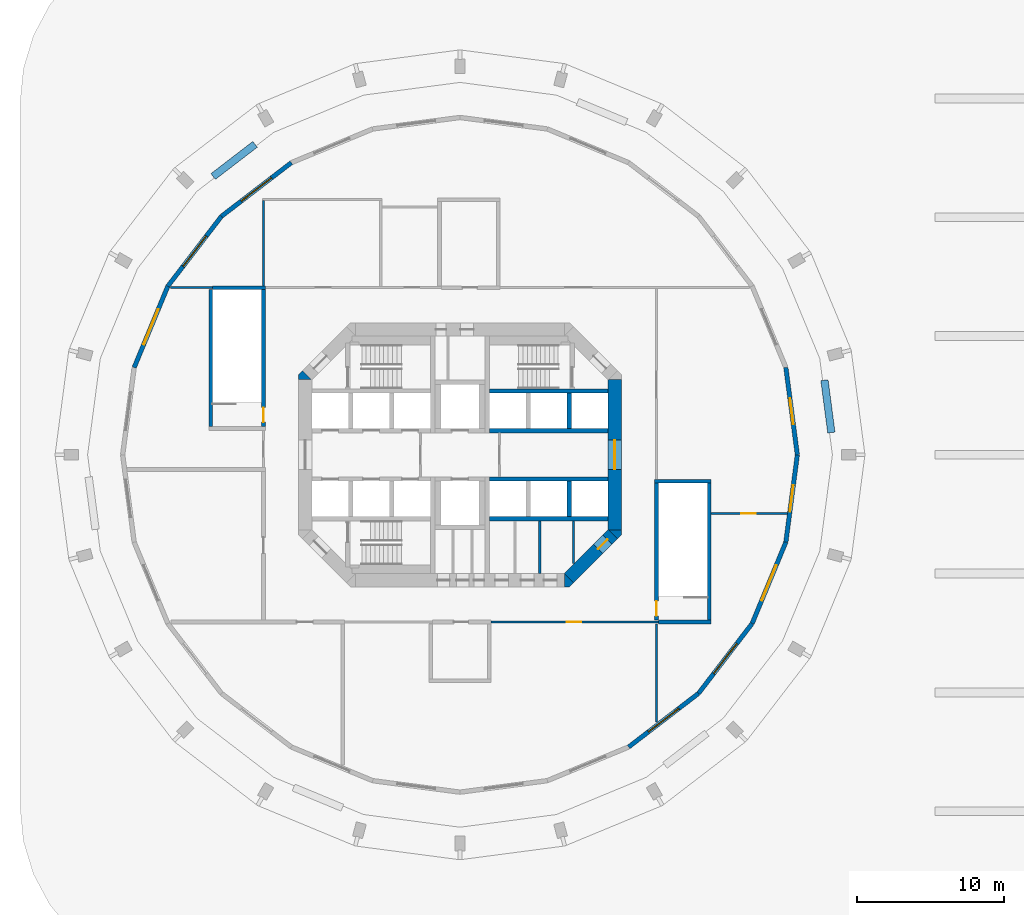
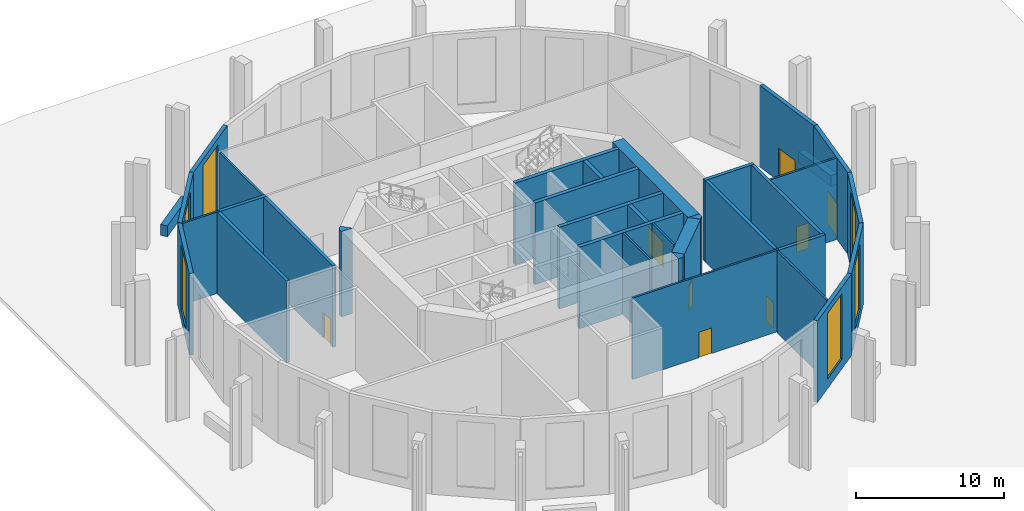
# One storey, part 4 of 7: 35 walls, 8 doors, 6 windows, 14 openings.
"""IFC4 building model written with IfcOpenShell, lengths in metres."""

import ifcopenshell
import ifcopenshell.guid

model = None  # the IFC model being written
_history = None  # IfcOwnerHistory: only IFC2X3 demands one
_inside = {}  # id of a spatial element -> (the spatial element, [elements in it])
_under = {}  # id of a project, library or spatial element -> (it, [spatial elements below it])
_declared = {}  # id of a project -> (the project, [libraries it declares])
_typed = {}  # id of a type object -> (the type object, [elements of that type])
_made_of = {}  # id of a material, layer set ... -> (it, [elements and type objects made of it])


def new_model(schema):
    """Start an empty IFC model of exactly this schema.

    Asked for "IFC4X3", IfcOpenShell would pick the latest addendum, in which some entities
    have other attributes; the version numbers below select the first issue.
    IFC2X3 requires an IfcOwnerHistory on every rooted entity: one is made here for all.
    """
    global model, _history
    if schema == "IFC4X3":
        model = ifcopenshell.file(schema_version=(4, 3, 0, 0))
    else:
        model = ifcopenshell.file(schema=schema)
    _inside.clear()
    _under.clear()
    _declared.clear()
    _typed.clear()
    _made_of.clear()
    _history = None
    if model.schema == "IFC2X3":
        org = make("IfcOrganization", Name="unknown")
        user = make(
            "IfcPersonAndOrganization",
            ThePerson=make("IfcPerson", FamilyName="unknown"),
            TheOrganization=org,
        )
        app = make(
            "IfcApplication",
            ApplicationDeveloper=org,
            Version="unknown",
            ApplicationFullName="unknown",
            ApplicationIdentifier="unknown",
        )
        _history = make(
            "IfcOwnerHistory",
            OwningUser=user,
            OwningApplication=app,
            ChangeAction="ADDED",
            CreationDate=0,
        )
    return model


def make(cls, **values):
    """One entity of the class cls with the attributes given. An attribute that is None is left unset."""
    return model.create_entity(
        cls, **{name: value for name, value in values.items() if value is not None}
    )


def rooted(cls, **values):
    """An entity with a GlobalId (a new one), such as an element, a storey or a relation."""
    return make(cls, GlobalId=ifcopenshell.guid.new(), OwnerHistory=_history, **values)


def si_unit(unit_type, name, prefix=None):
    """IfcSIUnit, for example si_unit("LENGTHUNIT", "METRE", prefix="MILLI")."""
    return make("IfcSIUnit", UnitType=unit_type, Prefix=prefix, Name=name)


def assignment(units):
    """IfcUnitAssignment: the units of a project."""
    return None if units is None else make("IfcUnitAssignment", Units=units)


def point(xyz):
    """IfcCartesianPoint."""
    return None if xyz is None else make("IfcCartesianPoint", Coordinates=xyz)


def direction(xyz):
    """IfcDirection."""
    return None if xyz is None else make("IfcDirection", DirectionRatios=xyz)


def frame(location, z_axis=None, x_axis=None):
    """IfcAxis2Placement3D, a coordinate frame: its origin and axes. An axis left out is left unset."""
    return make(
        "IfcAxis2Placement3D",
        Location=point(location),
        Axis=direction(z_axis),
        RefDirection=direction(x_axis),
    )


def frame_2d(location, x_axis=None):
    """IfcAxis2Placement2D, a coordinate frame in the plane: its origin and x axis."""
    return make(
        "IfcAxis2Placement2D", Location=point(location), RefDirection=direction(x_axis)
    )


def origin():
    """The frame at (0, 0, 0) with its axes left unset."""
    return frame((0.0, 0.0, 0.0))


def place(relative_to, where):
    """IfcLocalPlacement: puts the frame where relative to a parent placement (None: the world)."""
    return make(
        "IfcLocalPlacement", PlacementRelTo=relative_to, RelativePlacement=where
    )


def context(
    kind, dimensions, precision=None, world=None, true_north=None, identifier=None
):
    """IfcGeometricRepresentationContext, for example the 3D "Model" context."""
    return make(
        "IfcGeometricRepresentationContext",
        ContextIdentifier=identifier,
        ContextType=kind,
        CoordinateSpaceDimension=dimensions,
        Precision=precision,
        WorldCoordinateSystem=world,
        TrueNorth=true_north,
    )


def subcontext(parent, identifier, kind, view, scale=None):
    """IfcGeometricRepresentationSubContext, for example "Body" below "Model"."""
    return make(
        "IfcGeometricRepresentationSubContext",
        ContextIdentifier=identifier,
        ContextType=kind,
        ParentContext=parent,
        TargetScale=scale,
        TargetView=view,
    )


def project(units=None, contexts=None):
    """IfcProject with its units and contexts."""
    return rooted(
        "IfcProject",
        Name="project",
        RepresentationContexts=contexts,
        UnitsInContext=assignment(units),
    )


def spatial(cls, under=None, at=None, **own):
    """A site, building, storey or space (cls), placed at a placement, below another one or the project."""
    s = rooted(cls, ObjectPlacement=at, **own)
    if under is not None:
        _under.setdefault(under.id(), (under, []))[1].append(s)
    return s


def polyline(points):
    """IfcPolyline through the points."""
    return make("IfcPolyline", Points=[point(p) for p in points])


def profile(cls, at=None, kind="AREA", **sizes):
    """A parametric profile (cls). Its sizes go by their IFC names, for example OverallWidth=200.0."""
    return make(cls, ProfileType=kind, Position=at, **sizes)


def rectangle(**sizes):
    """IfcRectangleProfileDef."""
    return profile("IfcRectangleProfileDef", **sizes)


def outline(outer, holes=None, kind="AREA"):
    """IfcArbitraryClosedProfileDef: a profile drawn as a closed curve; with holes, ...WithVoids."""
    if holes is None:
        return make("IfcArbitraryClosedProfileDef", ProfileType=kind, OuterCurve=outer)
    return make(
        "IfcArbitraryProfileDefWithVoids",
        ProfileType=kind,
        OuterCurve=outer,
        InnerCurves=holes,
    )


def extrude(swept, where, along, depth):
    """IfcExtrudedAreaSolid: the profile swept, set in the frame where, extruded along a direction by depth."""
    return make(
        "IfcExtrudedAreaSolid",
        SweptArea=swept,
        Position=where,
        ExtrudedDirection=direction(along),
        Depth=depth,
    )


def shape(context_of_items, identifier, shape_type, items):
    """IfcShapeRepresentation: the items that make up one representation, for example the "Body"."""
    return make(
        "IfcShapeRepresentation",
        ContextOfItems=context_of_items,
        RepresentationIdentifier=identifier,
        RepresentationType=shape_type,
        Items=items,
    )


def material(Name=None, Category=None):
    """IfcMaterial."""
    return make("IfcMaterial", Name=Name, Category=Category)


def layer(
    of_material, thickness, ventilated=None, Name=None, Category=None, Priority=None
):
    """IfcMaterialLayer: one layer of a wall or slab, of a material (None: an air gap)."""
    return make(
        "IfcMaterialLayer",
        Material=of_material,
        LayerThickness=thickness,
        IsVentilated=ventilated,
        Name=Name,
        Category=Category,
        Priority=Priority,
    )


def layer_set(layers, Name=None):
    """IfcMaterialLayerSet."""
    return make("IfcMaterialLayerSet", MaterialLayers=layers, LayerSetName=Name)


def made_of(thing, what):
    """Note that an element or type object is made of a material, layer set ...; save() writes the relation."""
    if what is not None:
        _made_of.setdefault(what.id(), (what, []))[1].append(thing)
    return thing


def type_object(cls, material=None, **own):
    """A type object (cls), such as IfcWallType, which elements share."""
    return made_of(rooted(cls, **own), material)


def element(
    cls,
    number,
    at=None,
    inside=None,
    cuts=None,
    type_object=None,
    material=None,
    context=None,
    identifier="Body",
    shape_type=None,
    held_by="IfcProductDefinitionShape",
    body=None,
    shapes=None,
    **own,
):
    """One element of the class cls, such as IfcWall. Its Tag is "e" and its number.

    at: its placement. inside: the storey or other place that contains it. cuts: it is an
    opening in that element (IfcRelVoidsElement). A single representation is given by context,
    identifier, shape_type and body (its items); several are given by shapes. held_by: the class
    of the entity that holds the representations. save() writes the other relations.
    """
    e = rooted(cls, Tag="e%d" % number, ObjectPlacement=at, **own)
    if body is not None:
        shapes = [shape(context, identifier, shape_type, body)]
    if shapes is not None:
        e.Representation = make(held_by, Representations=shapes)
    if inside is not None:
        _inside.setdefault(inside.id(), (inside, []))[1].append(e)
    if cuts is not None:
        rooted(
            "IfcRelVoidsElement", RelatingBuildingElement=cuts, RelatedOpeningElement=e
        )
    if type_object is not None:
        _typed.setdefault(type_object.id(), (type_object, []))[1].append(e)
    return made_of(e, material)


def fill(opening, filler):
    """IfcRelFillsElement: the door or window that sits in an opening."""
    return rooted(
        "IfcRelFillsElement",
        RelatingOpeningElement=opening,
        RelatedBuildingElement=filler,
    )


def aggregate(whole, parts):
    """IfcRelAggregates: a whole, such as a stair, and the parts it consists of."""
    return rooted("IfcRelAggregates", RelatingObject=whole, RelatedObjects=parts)


def save(model, path):
    """Write the relations noted so far, then the file.

    IfcRelAggregates (storeys below a building ...), IfcRelContainedInSpatialStructure (elements
    in a storey), IfcRelDefinesByType, IfcRelAssociatesMaterial and IfcRelDeclares: one each for
    every whole, place, type object, material and project.
    """
    for whole, parts in _under.values():
        aggregate(whole, parts)
    for where, things in _inside.values():
        rooted(
            "IfcRelContainedInSpatialStructure",
            RelatedElements=things,
            RelatingStructure=where,
        )
    for kind, things in _typed.values():
        rooted("IfcRelDefinesByType", RelatedObjects=things, RelatingType=kind)
    for what, things in _made_of.values():
        rooted("IfcRelAssociatesMaterial", RelatedObjects=things, RelatingMaterial=what)
    for by, libraries in _declared.values():
        rooted("IfcRelDeclares", RelatingContext=by, RelatedDefinitions=libraries)
    model.write(path)


model = new_model("IFC4")

# Units and contexts
model_context = context("Model", 3, precision=1e-05, world=origin(), true_north=direction((0.0, 1.0)))
body_context = subcontext(model_context, "Body", "Model", "MODEL_VIEW")
ifc_project = project(units=[si_unit("LENGTHUNIT", "METRE"), si_unit("AREAUNIT", "SQUARE_METRE"), si_unit("VOLUMEUNIT", "CUBIC_METRE"), si_unit("PLANEANGLEUNIT", "RADIAN"), si_unit("MASSUNIT", "GRAM", prefix="KILO")], contexts=[model_context])

# Site, building, storey
site_placement = place(None, origin())
site = spatial("IfcSite", under=ifc_project, at=site_placement, CompositionType="ELEMENT")
building_placement = place(site_placement, origin())
building = spatial("IfcBuilding", under=site, at=building_placement, Name="Torre Triforio", CompositionType="ELEMENT")
storey_placement = place(building_placement, frame((0.0, 0.0, 20.0)))
storey = spatial("IfcBuildingStorey", under=building, at=storey_placement, Name="L03", CompositionType="ELEMENT", Elevation=20.0)

# Wall, opening, door
ifc_material_1 = material(Name="Concrete C60", Category="concrete")
ifc_layer_1 = layer(ifc_material_1, 0.89990234375)
ifc_layer_set_1 = layer_set([ifc_layer_1], Name="Concrete C60")
wall_type_1 = type_object("IfcWallType", Name="Core wall 900 mm C60 EI 120", PredefinedType="SHEAR", material=ifc_layer_set_1)
wall_1_placement = place(storey_placement, frame((10.550048828125, -5.1298828125, -0.320068359375), z_axis=(0.0, 0.0, 1.0), x_axis=(0.0, 1.0, 0.0)))
wall_1 = element("IfcWall", 1, at=wall_1_placement, inside=storey, type_object=wall_type_1, Name="Core wall", PredefinedType="SHEAR", context=body_context, shape_type="SweptSolid", body=[
    extrude(rectangle(XDim=10.259765625, YDim=0.89990234375, at=frame_2d((5.1298828125, 0.0))), origin(), (0.0, 0.0, 1.0), 7.0400390625),
])
opening_1_placement = place(wall_1_placement, frame((4.1298828125, 0.0, 0.320068359375)))
opening_1 = element("IfcOpeningElement", 2, at=opening_1_placement, cuts=wall_1, Name="Opening E-RING", PredefinedType="OPENING", context=body_context, shape_type="SweptSolid", body=[
    extrude(rectangle(XDim=2.0, YDim=2.10009765625, at=frame_2d((1.0, 1.050048828125))), frame((0.0, 0.4599609375, 0.0), z_axis=(0.0, -1.0, 0.0), x_axis=(1.0, 0.0, 0.0)), (0.0, 0.0, 1.0), 0.919921875),
])
ifc_material_2 = material(Name="Hollow metal fire door leaf")
door_type_1 = type_object("IfcDoorType", Name="Lobby door 2000 x 2100 EI 60", OperationType="DOUBLE_DOOR_SINGLE_SWING", PredefinedType="DOOR", material=ifc_material_2)
door_1_placement = place(opening_1_placement, origin())
door_1 = element("IfcDoor", 3, at=door_1_placement, inside=storey, type_object=door_type_1, Name="Core door E-RING", OperationType="DOUBLE_DOOR_SINGLE_SWING", OverallHeight=2.10009765625, OverallWidth=2.0, PredefinedType="DOOR", context=body_context, shape_type="SweptSolid", body=[
    extrude(rectangle(XDim=2.0, YDim=2.10009765625, at=frame_2d((1.0, 1.050048828125))), frame((0.0, 0.02490234375, 0.0), z_axis=(0.0, -1.0, 0.0), x_axis=(1.0, 0.0, 0.0)), (0.0, 0.0, 1.0), 0.050048828125),
])
fill(opening_1, door_1)

wall_2_placement = place(storey_placement, frame((10.418212890625, -5.418212890625, -0.320068359375), z_axis=(0.0, 0.0, 1.0), x_axis=(-0.707106781187, -0.707106781187, 0.0)))
wall_2 = element("IfcWall", 4, at=wall_2_placement, inside=storey, type_object=wall_type_1, Name="Core wall", PredefinedType="SHEAR", context=body_context, shape_type="SweptSolid", body=[
    extrude(rectangle(XDim=4.24267578125, YDim=0.89990234375, at=frame_2d((2.121337890625, 0.0))), origin(), (0.0, 0.0, 1.0), 7.0400390625),
])
opening_2_placement = place(wall_2_placement, frame((0.52001953125, 0.0, 0.320068359375)))
opening_2 = element("IfcOpeningElement", 5, at=opening_2_placement, cuts=wall_2, Name="Opening SE-04", PredefinedType="OPENING", context=body_context, shape_type="SweptSolid", body=[
    extrude(rectangle(XDim=0.89990234375, YDim=2.10009765625, at=frame_2d((0.449951171875, 1.050048828125))), frame((0.0, 0.4599609375, 0.0), z_axis=(0.0, -1.0, 0.0), x_axis=(1.0, 0.0, 0.0)), (0.0, 0.0, 1.0), 0.919921875),
])
door_type_2 = type_object("IfcDoorType", Name="Room door 900 x 2100 EI 60", OperationType="NOTDEFINED", PredefinedType="DOOR", material=ifc_material_2)
door_2_placement = place(opening_2_placement, origin())
door_2 = element("IfcDoor", 6, at=door_2_placement, inside=storey, type_object=door_type_2, Name="Core door SE-04", OperationType="SINGLE_SWING_RIGHT", OverallHeight=2.10009765625, OverallWidth=0.89990234375, PredefinedType="DOOR", context=body_context, shape_type="SweptSolid", body=[
    extrude(rectangle(XDim=0.89990234375, YDim=2.10009765625, at=frame_2d((0.449951171875, 1.050048828125))), frame((0.0, 0.02490234375, 0.0), z_axis=(0.0, -1.0, 0.0), x_axis=(1.0, 0.0, 0.0)), (0.0, 0.0, 1.0), 0.050048828125),
])
fill(opening_2, door_2)

# Walls
wall_3_placement = place(storey_placement, frame((0.0, 0.0, -0.320068359375)))
element("IfcWall", 7, at=wall_3_placement, inside=storey, type_object=wall_type_1, Name="Core wall", PredefinedType="SHEAR", context=body_context, shape_type="SweptSolid", body=[
    extrude(outline(polyline([(7.472900390625, -9.0), (7.1298828125, -9.0), (7.1298828125, -8.1298828125), (7.736328125, -8.736328125), (7.472900390625, -9.0)])), origin(), (0.0, 0.0, 1.0), 7.0400390625),
])
wall_4_placement = place(storey_placement, frame((0.0, 0.0, -0.320068359375)))
element("IfcWall", 8, at=wall_4_placement, inside=storey, type_object=wall_type_1, Name="Core wall", PredefinedType="SHEAR", context=body_context, shape_type="SweptSolid", body=[
    extrude(outline(polyline([(11.0, -5.472900390625), (10.736328125, -5.736328125), (10.1298828125, -5.1298828125), (11.0, -5.1298828125), (11.0, -5.472900390625)])), origin(), (0.0, 0.0, 1.0), 7.0400390625),
])
wall_5_placement = place(storey_placement, frame((0.0, 0.0, -0.320068359375)))
element("IfcWall", 9, at=wall_5_placement, inside=storey, type_object=wall_type_1, Name="Core wall", PredefinedType="SHEAR", context=body_context, shape_type="SweptSolid", body=[
    extrude(outline(polyline([(-10.736328125, 5.736328125), (-10.1298828125, 5.1298828125), (-11.0, 5.1298828125), (-11.0, 5.472900390625), (-10.736328125, 5.736328125)])), origin(), (0.0, 0.0, 1.0), 7.0400390625),
])
ifc_material_3 = material(Name="Plasterboard on metal studs")
ifc_layer_2 = layer(ifc_material_3, 0.14990234375)
ifc_layer_set_2 = layer_set([ifc_layer_2], Name="Plasterboard on metal studs")
wall_type_2 = type_object("IfcWallType", Name="Corridor wall 150 EI 60", PredefinedType="PARTITIONING", material=ifc_layer_set_2)
wall_6_placement = place(storey_placement, frame((-19.74755859375, 11.39990234375, 0.0), z_axis=(0.0, 0.0, 1.0), x_axis=(1.0, 0.0, 0.0)))
element("IfcWall", 10, at=wall_6_placement, inside=storey, type_object=wall_type_2, Name="Corridor wall L03 013", PredefinedType="PARTITIONING", context=body_context, shape_type="SweptSolid", body=[
    extrude(rectangle(XDim=2.87255859375, YDim=0.14990234375, at=frame_2d((1.436279296875, 0.0))), origin(), (0.0, 0.0, 1.0), 6.719970703125),
])

# Wall, opening, door
wall_7_placement = place(storey_placement, frame((2.125, -11.39990234375, 0.0), z_axis=(0.0, 0.0, 1.0), x_axis=(1.0, 0.0, 0.0)))
wall_7 = element("IfcWall", 11, at=wall_7_placement, inside=storey, type_object=wall_type_2, Name="Corridor wall L03 028", PredefinedType="PARTITIONING", context=body_context, shape_type="SweptSolid", body=[
    extrude(rectangle(XDim=11.39990234375, YDim=0.14990234375, at=frame_2d((5.699951171875, 0.0))), origin(), (0.0, 0.0, 1.0), 6.719970703125),
])
opening_3_placement = place(wall_7_placement, frame((5.14990234375, 0.0, 0.0)))
opening_3 = element("IfcOpeningElement", 12, at=opening_3_placement, cuts=wall_7, Name="Opening P3-12", PredefinedType="OPENING", context=body_context, shape_type="SweptSolid", body=[
    extrude(rectangle(XDim=1.0, YDim=2.10009765625, at=frame_2d((0.5, 1.050048828125))), frame((0.0, 0.0849609375, 0.0), z_axis=(0.0, -1.0, 0.0), x_axis=(1.0, 0.0, 0.0)), (0.0, 0.0, 1.0), 0.169921875),
])
ifc_material_4 = material(Name="Timber door leaf", Category="wood")
door_type_3 = type_object("IfcDoorType", Name="Single door 1000 x 2100 EI 30", OperationType="NOTDEFINED", PredefinedType="DOOR", material=ifc_material_4)
door_3_placement = place(opening_3_placement, origin())
door_3 = element("IfcDoor", 13, at=door_3_placement, inside=storey, type_object=door_type_3, Name="Door P3-12", OperationType="SINGLE_SWING_LEFT", OverallHeight=2.10009765625, OverallWidth=1.0, PredefinedType="DOOR", context=body_context, shape_type="SweptSolid", body=[
    extrude(rectangle(XDim=1.0, YDim=2.10009765625, at=frame_2d((0.5, 1.050048828125))), frame((0.0, 0.02490234375, 0.0), z_axis=(0.0, -1.0, 0.0), x_axis=(1.0, 0.0, 0.0)), (0.0, 0.0, 1.0), 0.050048828125),
])
fill(opening_3, door_3)

# Walls
ifc_material_5 = material(Name="Block and board partition")
ifc_layer_3 = layer(ifc_material_5, 0.14990234375)
ifc_layer_set_3 = layer_set([ifc_layer_3], Name="Block and board partition")
wall_type_3 = type_object("IfcWallType", Name="Partition 150 mm", PredefinedType="PARTITIONING", material=ifc_layer_set_3)
wall_8_placement = place(storey_placement, frame((5.43798828125, -8.10009765625, 0.0), z_axis=(0.0, 0.0, 1.0), x_axis=(0.0, 1.0, 0.0)))
element("IfcWall", 14, at=wall_8_placement, inside=storey, type_object=wall_type_3, Name="Partition", PredefinedType="PARTITIONING", context=body_context, shape_type="SweptSolid", body=[
    extrude(rectangle(XDim=3.60009765625, YDim=0.14990234375, at=frame_2d((1.800048828125, 0.0))), origin(), (0.0, 0.0, 1.0), 6.719970703125),
])
wall_9_placement = place(storey_placement, frame((7.72998046875, -7.39501953125, 0.0), z_axis=(0.0, 0.0, 1.0), x_axis=(0.0, 1.0, 0.0)))
element("IfcWall", 15, at=wall_9_placement, inside=storey, type_object=wall_type_3, Name="Partition", PredefinedType="PARTITIONING", context=body_context, shape_type="SweptSolid", body=[
    extrude(rectangle(XDim=2.89501953125, YDim=0.14990234375, at=frame_2d((1.447509765625, 0.0))), origin(), (0.0, 0.0, 1.0), 6.719970703125),
])
ifc_material_6 = material(Name="Limestone cladding", Category="masonry")
ifc_layer_4 = layer(ifc_material_6, 0.10009765625)
ifc_material_7 = material(Name="Concrete C40", Category="concrete")
ifc_layer_5 = layer(ifc_material_7, 0.39990234375)
ifc_layer_set_4 = layer_set([ifc_layer_4, ifc_layer_5], Name="Limestone cladding / Concrete C40")
wall_type_4 = type_object("IfcWallType", Name="Planter wall 500", PredefinedType="PARAPET", material=ifc_layer_set_4)
wall_10_placement = place(storey_placement, frame((25.318603515625, 1.517578125, 0.0), z_axis=(0.0, 0.0, 1.0), x_axis=(-0.130542222659, 0.991442750795, 0.0)))
element("IfcWall", 16, at=wall_10_placement, inside=storey, type_object=wall_type_4, Name="Planter L03 bay 01", PredefinedType="PARAPET", context=body_context, shape_type="SweptSolid", body=[
    extrude(rectangle(XDim=3.60009765625, YDim=0.5, at=frame_2d((1.800048828125, 0.0))), origin(), (0.0, 0.0, 1.0), 0.89990234375),
])
wall_11_placement = place(storey_placement, frame((-13.9736328125, 21.16748046875, 0.0), z_axis=(0.0, 0.0, 1.0), x_axis=(-0.793359599829, -0.608753271334, 0.0)))
element("IfcWall", 17, at=wall_11_placement, inside=storey, type_object=wall_type_4, Name="Planter L03 bay 09", PredefinedType="PARAPET", context=body_context, shape_type="SweptSolid", body=[
    extrude(rectangle(XDim=3.599853515625, YDim=0.5, at=frame_2d((1.7998046875, 0.0))), origin(), (0.0, 0.0, 1.0), 0.89990234375),
])
ifc_layer_6 = layer(ifc_material_1, 0.300048828125)
ifc_layer_set_5 = layer_set([ifc_layer_6], Name="Concrete C60")
wall_type_5 = type_object("IfcWallType", Name="Shaft wall 300 mm C60 EI 120", PredefinedType="SOLIDWALL", material=ifc_layer_set_5)
for number, where, z_axis, x_axis, name in (
    (18, (2.0, 4.35009765625, 0.0), (0.0, 0.0, 1.0), (1.0, 0.0, 0.0), "Shaft wall"),
    (19, (2.0, -4.35009765625, 0.0), (0.0, 0.0, 1.0), (1.0, 0.0, 0.0), "Shaft wall"),
    (20, (2.0, 1.64990234375, 0.0), (0.0, 0.0, 1.0), (1.0, 0.0, 0.0), "Shaft wall"),
    (21, (2.0, -1.64990234375, 0.0), (0.0, 0.0, 1.0), (1.0, 0.0, 0.0), "Shaft wall"),
):
    element("IfcWall", number, at=place(storey_placement, frame(where, z_axis=z_axis, x_axis=x_axis)), inside=storey, type_object=wall_type_5, Name=name, PredefinedType="SOLIDWALL", context=body_context, shape_type="SweptSolid", body=[
        extrude(rectangle(XDim=8.10009765625, YDim=0.300048828125, at=frame_2d((4.050048828125, 0.0))), origin(), (0.0, 0.0, 1.0), 6.719970703125),
    ])
for number, where, z_axis, x_axis, name in (
    (22, (7.449951171875, 1.800048828125, 0.0), (0.0, 0.0, 1.0), (0.0, 1.0, 0.0), "Shaft wall"),
    (23, (7.449951171875, -4.199951171875, 0.0), (0.0, 0.0, 1.0), (0.0, 1.0, 0.0), "Shaft wall"),
):
    element("IfcWall", number, at=place(storey_placement, frame(where, z_axis=z_axis, x_axis=x_axis)), inside=storey, type_object=wall_type_5, Name=name, PredefinedType="SOLIDWALL", context=body_context, shape_type="SweptSolid", body=[
        extrude(rectangle(XDim=2.39990234375, YDim=0.300048828125, at=frame_2d((1.199951171875, 0.0))), origin(), (0.0, 0.0, 1.0), 6.719970703125),
    ])
ifc_layer_7 = layer(ifc_material_7, 0.25)
ifc_layer_set_6 = layer_set([ifc_layer_7], Name="Concrete C40")
wall_type_6 = type_object("IfcWallType", Name="Stair enclosure wall 250 EI 120", PredefinedType="STANDARD", material=ifc_layer_set_6)
wall_12_placement = place(storey_placement, frame((13.27490234375, -1.800048828125, 0.0), z_axis=(0.0, 0.0, 1.0), x_axis=(1.0, 0.0, 0.0)))
element("IfcWall", 24, at=wall_12_placement, inside=storey, type_object=wall_type_6, Name="Stair enclosure wall L03 005", PredefinedType="STANDARD", context=body_context, shape_type="SweptSolid", body=[
    extrude(rectangle(XDim=3.85009765625, YDim=0.25, at=frame_2d((1.925048828125, 0.0))), origin(), (0.0, 0.0, 1.0), 6.719970703125),
])
wall_13_placement = place(storey_placement, frame((13.52490234375, -11.39990234375, 0.0), z_axis=(0.0, 0.0, 1.0), x_axis=(1.0, 0.0, 0.0)))
element("IfcWall", 25, at=wall_13_placement, inside=storey, type_object=wall_type_6, Name="Stair enclosure wall L03 010", PredefinedType="STANDARD", context=body_context, shape_type="SweptSolid", body=[
    extrude(rectangle(XDim=3.60009765625, YDim=0.25, at=frame_2d((1.800048828125, 0.0))), origin(), (0.0, 0.0, 1.0), 6.719970703125),
])
wall_14_placement = place(storey_placement, frame((17.0, -11.27490234375, 0.0), z_axis=(0.0, 0.0, 1.0), x_axis=(0.0, 1.0, 0.0)))
element("IfcWall", 26, at=wall_14_placement, inside=storey, type_object=wall_type_6, Name="Stair enclosure wall L03 011", PredefinedType="STANDARD", context=body_context, shape_type="SweptSolid", body=[
    extrude(rectangle(XDim=9.349853515625, YDim=0.25, at=frame_2d((4.6748046875, 0.0))), origin(), (0.0, 0.0, 1.0), 6.719970703125),
])
wall_15_placement = place(storey_placement, frame((-16.875, 11.39990234375, 0.0), z_axis=(0.0, 0.0, 1.0), x_axis=(1.0, 0.0, 0.0)))
element("IfcWall", 27, at=wall_15_placement, inside=storey, type_object=wall_type_6, Name="Stair enclosure wall L03 014", PredefinedType="STANDARD", context=body_context, shape_type="SweptSolid", body=[
    extrude(rectangle(XDim=3.60009765625, YDim=0.25, at=frame_2d((1.800048828125, 0.0))), origin(), (0.0, 0.0, 1.0), 6.719970703125),
])
wall_16_placement = place(storey_placement, frame((-17.0, 1.925048828125, 0.0), z_axis=(0.0, 0.0, 1.0), x_axis=(0.0, 1.0, 0.0)))
element("IfcWall", 28, at=wall_16_placement, inside=storey, type_object=wall_type_6, Name="Stair enclosure wall L03 019", PredefinedType="STANDARD", context=body_context, shape_type="SweptSolid", body=[
    extrude(rectangle(XDim=9.349853515625, YDim=0.25, at=frame_2d((4.6748046875, 0.0))), origin(), (0.0, 0.0, 1.0), 6.719970703125),
])

# Wall, opening, door
wall_17_placement = place(storey_placement, frame((-13.39990234375, 1.925048828125, 0.0), z_axis=(0.0, 0.0, 1.0), x_axis=(0.0, 1.0, 0.0)))
wall_17 = element("IfcWall", 29, at=wall_17_placement, inside=storey, type_object=wall_type_6, Name="Stair enclosure wall L03 022", PredefinedType="STANDARD", context=body_context, shape_type="SweptSolid", body=[
    extrude(rectangle(XDim=9.349853515625, YDim=0.25, at=frame_2d((4.6748046875, 0.0))), origin(), (0.0, 0.0, 1.0), 6.719970703125),
])
opening_4_placement = place(wall_17_placement, frame((0.300048828125, 0.0, 0.0)))
opening_4 = element("IfcOpeningElement", 30, at=opening_4_placement, cuts=wall_17, Name="Opening P3-01", PredefinedType="OPENING", context=body_context, shape_type="SweptSolid", body=[
    extrude(rectangle(XDim=1.0, YDim=2.10009765625, at=frame_2d((0.5, 1.050048828125))), frame((0.0, 0.135009765625, 0.0), z_axis=(0.0, -1.0, 0.0), x_axis=(1.0, 0.0, 0.0)), (0.0, 0.0, 1.0), 0.27001953125),
])
door_type_4 = type_object("IfcDoorType", Name="Stair door 1000 x 2100 EI 90", OperationType="NOTDEFINED", PredefinedType="DOOR", material=ifc_material_2)
door_4_placement = place(opening_4_placement, origin())
door_4 = element("IfcDoor", 31, at=door_4_placement, inside=storey, type_object=door_type_4, Name="Door P3-01", OperationType="SINGLE_SWING_LEFT", OverallHeight=2.10009765625, OverallWidth=1.0, PredefinedType="DOOR", context=body_context, shape_type="SweptSolid", body=[
    extrude(rectangle(XDim=1.0, YDim=2.10009765625, at=frame_2d((0.5, 1.050048828125))), frame((0.0, 0.02490234375, 0.0), z_axis=(0.0, -1.0, 0.0), x_axis=(1.0, 0.0, 0.0)), (0.0, 0.0, 1.0), 0.050048828125),
])
fill(opening_4, door_4)

wall_18_placement = place(storey_placement, frame((13.39990234375, -11.27490234375, 0.0), z_axis=(0.0, 0.0, 1.0), x_axis=(0.0, 1.0, 0.0)))
wall_18 = element("IfcWall", 32, at=wall_18_placement, inside=storey, type_object=wall_type_6, Name="Stair enclosure wall L03 023", PredefinedType="STANDARD", context=body_context, shape_type="SweptSolid", body=[
    extrude(rectangle(XDim=9.349853515625, YDim=0.25, at=frame_2d((4.6748046875, 0.0))), origin(), (0.0, 0.0, 1.0), 6.719970703125),
])
opening_5_placement = place(wall_18_placement, frame((0.300048828125, 0.0, 0.0)))
opening_5 = element("IfcOpeningElement", 33, at=opening_5_placement, cuts=wall_18, Name="Opening P3-02", PredefinedType="OPENING", context=body_context, shape_type="SweptSolid", body=[
    extrude(rectangle(XDim=1.0, YDim=2.10009765625, at=frame_2d((0.5, 1.050048828125))), frame((0.0, 0.135009765625, 0.0), z_axis=(0.0, -1.0, 0.0), x_axis=(1.0, 0.0, 0.0)), (0.0, 0.0, 1.0), 0.27001953125),
])
door_5_placement = place(opening_5_placement, origin())
door_5 = element("IfcDoor", 34, at=door_5_placement, inside=storey, type_object=door_type_4, Name="Door P3-02", OperationType="SINGLE_SWING_LEFT", OverallHeight=2.10009765625, OverallWidth=1.0, PredefinedType="DOOR", context=body_context, shape_type="SweptSolid", body=[
    extrude(rectangle(XDim=1.0, YDim=2.10009765625, at=frame_2d((0.5, 1.050048828125))), frame((0.0, 0.02490234375, 0.0), z_axis=(0.0, -1.0, 0.0), x_axis=(1.0, 0.0, 0.0)), (0.0, 0.0, 1.0), 0.050048828125),
])
fill(opening_5, door_5)

ifc_layer_8 = layer(ifc_material_6, 0.10009765625)
ifc_layer_9 = layer(ifc_material_7, 0.199951171875)
ifc_layer_set_7 = layer_set([ifc_layer_8, ifc_layer_9], Name="Limestone cladding / Concrete C40")
wall_type_7 = type_object("IfcWallType", Name="Stone-faced composite wall 300", PredefinedType="STANDARD", material=ifc_layer_set_7)
wall_19_placement = place(storey_placement, frame((23.0, 0.0, 0.0), z_axis=(0.0, 0.0, 1.0), x_axis=(-0.130522880875, 0.991445297315, 0.0)))
wall_19 = element("IfcWall", 35, at=wall_19_placement, inside=storey, type_object=wall_type_7, Name="External wall L03 bay 01", PredefinedType="STANDARD", context=body_context, shape_type="SweptSolid", body=[
    extrude(rectangle(XDim=6.004150390625, YDim=0.300048828125, at=frame_2d((3.001953125, 0.0))), origin(), (0.0, 0.0, 1.0), 6.719970703125),
])
opening_6_placement = place(wall_19_placement, frame((2.10205078125, 0.0, 0.0)))
opening_6 = element("IfcOpeningElement", 36, at=opening_6_placement, cuts=wall_19, Name="Opening P3-15", PredefinedType="OPENING", context=body_context, shape_type="SweptSolid", body=[
    extrude(rectangle(XDim=1.800048828125, YDim=2.699951171875, at=frame_2d((0.89990234375, 1.35009765625))), frame((0.0, 0.159912109375, 0.0), z_axis=(0.0, -1.0, 0.0), x_axis=(1.0, 0.0, 0.0)), (0.0, 0.0, 1.0), 0.320068359375),
])
ifc_material_8 = material(Name="Glazed aluminium door", Category="aluminium")
door_type_5 = type_object("IfcDoorType", Name="Terrace double door 1800 x 2700", OperationType="NOTDEFINED", PredefinedType="DOOR", material=ifc_material_8)
door_6_placement = place(opening_6_placement, origin())
door_6 = element("IfcDoor", 37, at=door_6_placement, inside=storey, type_object=door_type_5, Name="Door P3-15", OperationType="SINGLE_SWING_LEFT", OverallHeight=2.699951171875, OverallWidth=1.800048828125, PredefinedType="DOOR", context=body_context, shape_type="SweptSolid", body=[
    extrude(rectangle(XDim=1.800048828125, YDim=2.699951171875, at=frame_2d((0.89990234375, 1.35009765625))), frame((0.0, 0.02490234375, 0.0), z_axis=(0.0, -1.0, 0.0), x_axis=(1.0, 0.0, 0.0)), (0.0, 0.0, 1.0), 0.050048828125),
])
fill(opening_6, door_6)

# Wall, opening, window
wall_20_placement = place(storey_placement, frame((-11.5, 19.918701171875, 0.0), z_axis=(0.0, 0.0, 1.0), x_axis=(-0.793339924758, -0.608778912074, 0.0)))
wall_20 = element("IfcWall", 38, at=wall_20_placement, inside=storey, type_object=wall_type_7, Name="External wall L03 bay 09", PredefinedType="STANDARD", context=body_context, shape_type="SweptSolid", body=[
    extrude(rectangle(XDim=6.004150390625, YDim=0.300048828125, at=frame_2d((3.001953125, 0.0))), origin(), (0.0, 0.0, 1.0), 6.719970703125),
])
opening_7_placement = place(wall_20_placement, frame((1.7021484375, 0.0, 0.800048828125)))
opening_7 = element("IfcOpeningElement", 39, at=opening_7_placement, cuts=wall_20, Name="Opening P3-W09", PredefinedType="OPENING", context=body_context, shape_type="SweptSolid", body=[
    extrude(rectangle(XDim=2.60009765625, YDim=5.39990234375, at=frame_2d((1.300048828125, 2.699951171875))), frame((0.0, 0.159912109375, 0.0), z_axis=(0.0, -1.0, 0.0), x_axis=(1.0, 0.0, 0.0)), (0.0, 0.0, 1.0), 0.320068359375),
])
ifc_material_9 = material(Name="Aluminium frame with clear double glazing", Category="aluminium")
window_type = type_object("IfcWindowType", Name="Punched window 2600 x 5400", PartitioningType="DOUBLE_PANEL_VERTICAL", PredefinedType="WINDOW", material=ifc_material_9)
window_1_placement = place(opening_7_placement, origin())
window_1 = element("IfcWindow", 40, at=window_1_placement, inside=storey, type_object=window_type, Name="Window EWN1 L03 bay 09", OverallHeight=5.39990234375, OverallWidth=2.60009765625, PartitioningType="SINGLE_PANEL", PredefinedType="WINDOW", context=body_context, shape_type="SweptSolid", body=[
    extrude(rectangle(XDim=2.60009765625, YDim=5.39990234375, at=frame_2d((1.300048828125, 2.699951171875))), frame((0.0, 0.030029296875, 0.0), z_axis=(0.0, -1.0, 0.0), x_axis=(1.0, 0.0, 0.0)), (0.0, 0.0, 1.0), 0.06005859375),
])
fill(opening_7, window_1)

wall_21_placement = place(storey_placement, frame((-16.263427734375, 16.263427734375, 0.0), z_axis=(0.0, 0.0, 1.0), x_axis=(-0.608778912074, -0.793339924758, 0.0)))
wall_21 = element("IfcWall", 41, at=wall_21_placement, inside=storey, type_object=wall_type_7, Name="External wall L03 bay 10", PredefinedType="STANDARD", context=body_context, shape_type="SweptSolid", body=[
    extrude(rectangle(XDim=6.004150390625, YDim=0.300048828125, at=frame_2d((3.001953125, 0.0))), origin(), (0.0, 0.0, 1.0), 6.719970703125),
])
opening_8_placement = place(wall_21_placement, frame((1.7021484375, 0.0, 0.800048828125)))
opening_8 = element("IfcOpeningElement", 42, at=opening_8_placement, cuts=wall_21, Name="Opening P3-W10", PredefinedType="OPENING", context=body_context, shape_type="SweptSolid", body=[
    extrude(rectangle(XDim=2.60009765625, YDim=5.39990234375, at=frame_2d((1.300048828125, 2.699951171875))), frame((0.0, 0.159912109375, 0.0), z_axis=(0.0, -1.0, 0.0), x_axis=(1.0, 0.0, 0.0)), (0.0, 0.0, 1.0), 0.320068359375),
])
window_2_placement = place(opening_8_placement, origin())
window_2 = element("IfcWindow", 43, at=window_2_placement, inside=storey, type_object=window_type, Name="Window EWN1 L03 bay 10", OverallHeight=5.39990234375, OverallWidth=2.60009765625, PartitioningType="SINGLE_PANEL", PredefinedType="WINDOW", context=body_context, shape_type="SweptSolid", body=[
    extrude(rectangle(XDim=2.60009765625, YDim=5.39990234375, at=frame_2d((1.300048828125, 2.699951171875))), frame((0.0, 0.030029296875, 0.0), z_axis=(0.0, -1.0, 0.0), x_axis=(1.0, 0.0, 0.0)), (0.0, 0.0, 1.0), 0.06005859375),
])
fill(opening_8, window_2)

wall_22_placement = place(storey_placement, frame((-19.918701171875, 11.5, 0.0), z_axis=(0.0, 0.0, 1.0), x_axis=(-0.382671411433, -0.923884511653, 0.0)))
wall_22 = element("IfcWall", 44, at=wall_22_placement, inside=storey, type_object=wall_type_7, Name="External wall L03 bay 11", PredefinedType="STANDARD", context=body_context, shape_type="SweptSolid", body=[
    extrude(rectangle(XDim=6.004150390625, YDim=0.300048828125, at=frame_2d((3.001953125, 0.0))), origin(), (0.0, 0.0, 1.0), 6.719970703125),
])
opening_9_placement = place(wall_22_placement, frame((1.7021484375, 0.0, 0.800048828125)))
opening_9 = element("IfcOpeningElement", 45, at=opening_9_placement, cuts=wall_22, Name="Opening P3-W11", PredefinedType="OPENING", context=body_context, shape_type="SweptSolid", body=[
    extrude(rectangle(XDim=2.60009765625, YDim=5.39990234375, at=frame_2d((1.300048828125, 2.699951171875))), frame((0.0, 0.159912109375, 0.0), z_axis=(0.0, -1.0, 0.0), x_axis=(1.0, 0.0, 0.0)), (0.0, 0.0, 1.0), 0.320068359375),
])
window_3_placement = place(opening_9_placement, origin())
window_3 = element("IfcWindow", 46, at=window_3_placement, inside=storey, type_object=window_type, Name="Window EWN1 L03 bay 11", OverallHeight=5.39990234375, OverallWidth=2.60009765625, PartitioningType="SINGLE_PANEL", PredefinedType="WINDOW", context=body_context, shape_type="SweptSolid", body=[
    extrude(rectangle(XDim=2.60009765625, YDim=5.39990234375, at=frame_2d((1.300048828125, 2.699951171875))), frame((0.0, 0.030029296875, 0.0), z_axis=(0.0, -1.0, 0.0), x_axis=(1.0, 0.0, 0.0)), (0.0, 0.0, 1.0), 0.06005859375),
])
fill(opening_9, window_3)

wall_23_placement = place(storey_placement, frame((11.5, -19.918701171875, 0.0), z_axis=(0.0, 0.0, 1.0), x_axis=(0.793339924758, 0.608778912074, 0.0)))
wall_23 = element("IfcWall", 47, at=wall_23_placement, inside=storey, type_object=wall_type_7, Name="External wall L03 bay 21", PredefinedType="STANDARD", context=body_context, shape_type="SweptSolid", body=[
    extrude(rectangle(XDim=6.004150390625, YDim=0.300048828125, at=frame_2d((3.001953125, 0.0))), origin(), (0.0, 0.0, 1.0), 6.719970703125),
])
opening_10_placement = place(wall_23_placement, frame((1.7021484375, 0.0, 0.800048828125)))
opening_10 = element("IfcOpeningElement", 48, at=opening_10_placement, cuts=wall_23, Name="Opening P3-W21", PredefinedType="OPENING", context=body_context, shape_type="SweptSolid", body=[
    extrude(rectangle(XDim=2.60009765625, YDim=5.39990234375, at=frame_2d((1.300048828125, 2.699951171875))), frame((0.0, 0.159912109375, 0.0), z_axis=(0.0, -1.0, 0.0), x_axis=(1.0, 0.0, 0.0)), (0.0, 0.0, 1.0), 0.320068359375),
])
window_4_placement = place(opening_10_placement, origin())
window_4 = element("IfcWindow", 49, at=window_4_placement, inside=storey, type_object=window_type, Name="Window EWN1 L03 bay 21", OverallHeight=5.39990234375, OverallWidth=2.60009765625, PartitioningType="SINGLE_PANEL", PredefinedType="WINDOW", context=body_context, shape_type="SweptSolid", body=[
    extrude(rectangle(XDim=2.60009765625, YDim=5.39990234375, at=frame_2d((1.300048828125, 2.699951171875))), frame((0.0, 0.030029296875, 0.0), z_axis=(0.0, -1.0, 0.0), x_axis=(1.0, 0.0, 0.0)), (0.0, 0.0, 1.0), 0.06005859375),
])
fill(opening_10, window_4)

wall_24_placement = place(storey_placement, frame((16.263427734375, -16.263427734375, 0.0), z_axis=(0.0, 0.0, 1.0), x_axis=(0.608778912074, 0.793339924758, 0.0)))
wall_24 = element("IfcWall", 50, at=wall_24_placement, inside=storey, type_object=wall_type_7, Name="External wall L03 bay 22", PredefinedType="STANDARD", context=body_context, shape_type="SweptSolid", body=[
    extrude(rectangle(XDim=6.004150390625, YDim=0.300048828125, at=frame_2d((3.001953125, 0.0))), origin(), (0.0, 0.0, 1.0), 6.719970703125),
])
opening_11_placement = place(wall_24_placement, frame((1.7021484375, 0.0, 0.800048828125)))
opening_11 = element("IfcOpeningElement", 51, at=opening_11_placement, cuts=wall_24, Name="Opening P3-W22", PredefinedType="OPENING", context=body_context, shape_type="SweptSolid", body=[
    extrude(rectangle(XDim=2.60009765625, YDim=5.39990234375, at=frame_2d((1.300048828125, 2.699951171875))), frame((0.0, 0.159912109375, 0.0), z_axis=(0.0, -1.0, 0.0), x_axis=(1.0, 0.0, 0.0)), (0.0, 0.0, 1.0), 0.320068359375),
])
window_5_placement = place(opening_11_placement, origin())
window_5 = element("IfcWindow", 52, at=window_5_placement, inside=storey, type_object=window_type, Name="Window EWN1 L03 bay 22", OverallHeight=5.39990234375, OverallWidth=2.60009765625, PartitioningType="SINGLE_PANEL", PredefinedType="WINDOW", context=body_context, shape_type="SweptSolid", body=[
    extrude(rectangle(XDim=2.60009765625, YDim=5.39990234375, at=frame_2d((1.300048828125, 2.699951171875))), frame((0.0, 0.030029296875, 0.0), z_axis=(0.0, -1.0, 0.0), x_axis=(1.0, 0.0, 0.0)), (0.0, 0.0, 1.0), 0.06005859375),
])
fill(opening_11, window_5)

wall_25_placement = place(storey_placement, frame((19.918701171875, -11.5, 0.0), z_axis=(0.0, 0.0, 1.0), x_axis=(0.382671411433, 0.923884511653, 0.0)))
wall_25 = element("IfcWall", 53, at=wall_25_placement, inside=storey, type_object=wall_type_7, Name="External wall L03 bay 23", PredefinedType="STANDARD", context=body_context, shape_type="SweptSolid", body=[
    extrude(rectangle(XDim=6.004150390625, YDim=0.300048828125, at=frame_2d((3.001953125, 0.0))), origin(), (0.0, 0.0, 1.0), 6.719970703125),
])
opening_12_placement = place(wall_25_placement, frame((1.7021484375, 0.0, 0.800048828125)))
opening_12 = element("IfcOpeningElement", 54, at=opening_12_placement, cuts=wall_25, Name="Opening P3-W23", PredefinedType="OPENING", context=body_context, shape_type="SweptSolid", body=[
    extrude(rectangle(XDim=2.60009765625, YDim=5.39990234375, at=frame_2d((1.300048828125, 2.699951171875))), frame((0.0, 0.159912109375, 0.0), z_axis=(0.0, -1.0, 0.0), x_axis=(1.0, 0.0, 0.0)), (0.0, 0.0, 1.0), 0.320068359375),
])
window_6_placement = place(opening_12_placement, origin())
window_6 = element("IfcWindow", 55, at=window_6_placement, inside=storey, type_object=window_type, Name="Window EWN1 L03 bay 23", OverallHeight=5.39990234375, OverallWidth=2.60009765625, PartitioningType="SINGLE_PANEL", PredefinedType="WINDOW", context=body_context, shape_type="SweptSolid", body=[
    extrude(rectangle(XDim=2.60009765625, YDim=5.39990234375, at=frame_2d((1.300048828125, 2.699951171875))), frame((0.0, 0.030029296875, 0.0), z_axis=(0.0, -1.0, 0.0), x_axis=(1.0, 0.0, 0.0)), (0.0, 0.0, 1.0), 0.06005859375),
])
fill(opening_12, window_6)

# Wall, opening, door
wall_26_placement = place(storey_placement, frame((22.21630859375, -5.952880859375, 0.0), z_axis=(0.0, 0.0, 1.0), x_axis=(0.130522880875, 0.991445297315, 0.0)))
wall_26 = element("IfcWall", 56, at=wall_26_placement, inside=storey, type_object=wall_type_7, Name="External wall L03 bay 24", PredefinedType="STANDARD", context=body_context, shape_type="SweptSolid", body=[
    extrude(rectangle(XDim=6.004150390625, YDim=0.300048828125, at=frame_2d((3.001953125, 0.0))), origin(), (0.0, 0.0, 1.0), 6.719970703125),
])
opening_13_placement = place(wall_26_placement, frame((2.10205078125, 0.0, 0.0)))
opening_13 = element("IfcOpeningElement", 57, at=opening_13_placement, cuts=wall_26, Name="Opening P3-14", PredefinedType="OPENING", context=body_context, shape_type="SweptSolid", body=[
    extrude(rectangle(XDim=1.800048828125, YDim=2.699951171875, at=frame_2d((0.89990234375, 1.35009765625))), frame((0.0, 0.159912109375, 0.0), z_axis=(0.0, -1.0, 0.0), x_axis=(1.0, 0.0, 0.0)), (0.0, 0.0, 1.0), 0.320068359375),
])
door_7_placement = place(opening_13_placement, origin())
door_7 = element("IfcDoor", 58, at=door_7_placement, inside=storey, type_object=door_type_5, Name="Door P3-14", OperationType="SINGLE_SWING_LEFT", OverallHeight=2.699951171875, OverallWidth=1.800048828125, PredefinedType="DOOR", context=body_context, shape_type="SweptSolid", body=[
    extrude(rectangle(XDim=1.800048828125, YDim=2.699951171875, at=frame_2d((0.89990234375, 1.35009765625))), frame((0.0, 0.02490234375, 0.0), z_axis=(0.0, -1.0, 0.0), x_axis=(1.0, 0.0, 0.0)), (0.0, 0.0, 1.0), 0.050048828125),
])
fill(opening_13, door_7)

ifc_layer_10 = layer(ifc_material_3, 0.14990234375)
ifc_layer_set_8 = layer_set([ifc_layer_10], Name="Plasterboard on metal studs")
wall_type_8 = type_object("IfcWallType", Name="Wet room wall 150", PredefinedType="PARTITIONING", material=ifc_layer_set_8)
wall_27_placement = place(storey_placement, frame((17.125, -4.0, 0.0), z_axis=(0.0, 0.0, 1.0), x_axis=(1.0, 0.0, 0.0)))
wall_27 = element("IfcWall", 59, at=wall_27_placement, inside=storey, type_object=wall_type_8, Name="Wet room wall L03 004", PredefinedType="PARTITIONING", context=body_context, shape_type="SweptSolid", body=[
    extrude(rectangle(XDim=5.18701171875, YDim=0.14990234375, at=frame_2d((2.593505859375, 0.0))), origin(), (0.0, 0.0, 1.0), 6.719970703125),
])
opening_14_placement = place(wall_27_placement, frame((2.050048828125, 0.0, 0.0)))
opening_14 = element("IfcOpeningElement", 60, at=opening_14_placement, cuts=wall_27, Name="Opening P3-10", PredefinedType="OPENING", context=body_context, shape_type="SweptSolid", body=[
    extrude(rectangle(XDim=1.0, YDim=2.10009765625, at=frame_2d((0.5, 1.050048828125))), frame((0.0, 0.0849609375, 0.0), z_axis=(0.0, -1.0, 0.0), x_axis=(1.0, 0.0, 0.0)), (0.0, 0.0, 1.0), 0.169921875),
])
door_type_6 = type_object("IfcDoorType", Name="Single door 1000 x 2100", OperationType="NOTDEFINED", PredefinedType="DOOR", material=ifc_material_4)
door_8_placement = place(opening_14_placement, origin())
door_8 = element("IfcDoor", 61, at=door_8_placement, inside=storey, type_object=door_type_6, Name="Door P3-10", OperationType="SINGLE_SWING_LEFT", OverallHeight=2.10009765625, OverallWidth=1.0, PredefinedType="DOOR", context=body_context, shape_type="SweptSolid", body=[
    extrude(rectangle(XDim=1.0, YDim=2.10009765625, at=frame_2d((0.5, 1.050048828125))), frame((0.0, 0.02490234375, 0.0), z_axis=(0.0, -1.0, 0.0), x_axis=(1.0, 0.0, 0.0)), (0.0, 0.0, 1.0), 0.050048828125),
])
fill(opening_14, door_8)

# Walls
wall_28_placement = place(storey_placement, frame((13.39990234375, -18.211669921875, 0.0), z_axis=(0.0, 0.0, 1.0), x_axis=(0.0, 1.0, 0.0)))
element("IfcWall", 62, at=wall_28_placement, inside=storey, type_object=wall_type_8, Name="Wet room wall L03 012", PredefinedType="PARTITIONING", context=body_context, shape_type="SweptSolid", body=[
    extrude(rectangle(XDim=6.686767578125, YDim=0.14990234375, at=frame_2d((3.34326171875, 0.0))), origin(), (0.0, 0.0, 1.0), 6.719970703125),
])
wall_29_placement = place(storey_placement, frame((-13.39990234375, 11.52490234375, 0.0), z_axis=(0.0, 0.0, 1.0), x_axis=(0.0, 1.0, 0.0)))
element("IfcWall", 63, at=wall_29_placement, inside=storey, type_object=wall_type_8, Name="Wet room wall L03 017", PredefinedType="PARTITIONING", context=body_context, shape_type="SweptSolid", body=[
    extrude(rectangle(XDim=5.800048828125, YDim=0.14990234375, at=frame_2d((2.89990234375, 0.0))), origin(), (0.0, 0.0, 1.0), 6.719970703125),
])

save(model, "model.ifc")
